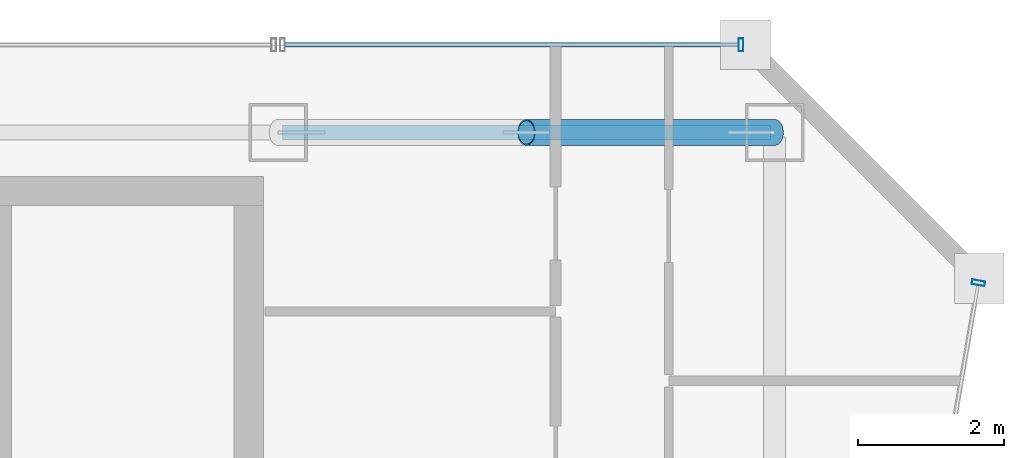
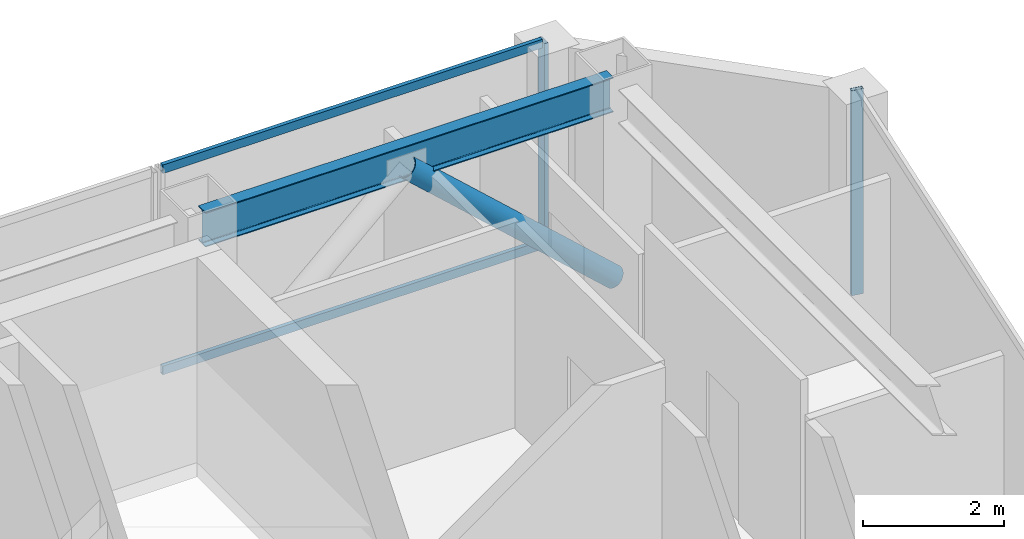
# One storey, part 23 of 33: 5 members, 1 beam, 2 elements without a shape of their own.
"""IFC4 building model written with IfcOpenShell, lengths in metres."""

from ifc_helpers import new_model, si_unit, direction, frame, origin, origin_2d, place, context, subcontext, project, spatial, hollow_rectangle, hollow_circle, i_section, extrude, material, material_profile, profile_set, type_object, element, aggregate, save


model = new_model("IFC4")

# Units and contexts
model_context = context("Model", 3, precision=1e-05, world=origin(), true_north=direction((0.0, 1.0)))
body_context = subcontext(model_context, "Body", "Model", "MODEL_VIEW")
ifc_project = project(units=[si_unit("LENGTHUNIT", "METRE"), si_unit("AREAUNIT", "SQUARE_METRE"), si_unit("VOLUMEUNIT", "CUBIC_METRE"), si_unit("PLANEANGLEUNIT", "RADIAN"), si_unit("MASSUNIT", "GRAM", prefix="KILO")], contexts=[model_context])

# Site, building, storey
site_placement = place(None, origin())
site = spatial("IfcSite", under=ifc_project, at=site_placement, CompositionType="ELEMENT")
building_placement = place(site_placement, origin())
building = spatial("IfcBuilding", under=site, at=building_placement, Name="Saevonmaru Cultural Tower", CompositionType="ELEMENT")
storey_placement = place(building_placement, frame((0.0, 0.0, 234.39990234375)))
storey = spatial("IfcBuildingStorey", under=building, at=storey_placement, Name="L54", CompositionType="ELEMENT", Elevation=234.39990234375)

# Beam
ifc_material_1 = material(Name="Steel SM355", Category="steel")
ifc_material_profile_1 = material_profile(ifc_material_1, i_section(OverallWidth=0.199951171875, OverallDepth=0.60009765625, WebThickness=0.010986328125, FlangeThickness=0.01708984375, FilletRadius=0.02197265625, at=origin_2d()), Name="H-600x200x11x17")
ifc_profile_set_1 = profile_set([ifc_material_profile_1], Name="Steel SM355")
beam_type = type_object("IfcBeamType", Name="BM-SP-H600", PredefinedType="SPANDREL", material=ifc_profile_set_1)
beam_placement = place(storey_placement, frame((46.4599609375, 54.800048828125, 3.25), z_axis=(1.0, 0.0, 0.0), x_axis=(0.0, 1.0, 0.0)))
element("IfcBeam", 1, at=beam_placement, inside=storey, type_object=beam_type, Name="L54 North Spine Girder 5", PredefinedType="SPANDREL", context=body_context, shape_type="SweptSolid", body=[
    extrude(i_section(OverallWidth=0.199951171875, OverallDepth=0.60009765625, WebThickness=0.010986328125, FlangeThickness=0.01708984375, FilletRadius=0.02197265625, at=origin_2d()), origin(), (0.0, 0.0, 1.0), 6.679931640625),
])

# Member
ifc_material_profile_2 = material_profile(ifc_material_1, hollow_circle(Radius=0.177734375, WallThickness=0.01611328125, at=origin_2d()), Name="CHS-355.6x16")
ifc_profile_set_2 = profile_set([ifc_material_profile_2], Name="Steel SM355")
member_type_1 = type_object("IfcMemberType", Name="MB-PBR-CHS356", PredefinedType="BRACE", material=ifc_profile_set_2)
member_1_placement = place(storey_placement, frame((53.199951171875, 54.800048828125, 0.02001953125), z_axis=(-0.738935641579, 0.0, 0.673776014417), x_axis=(0.0, -1.0, 0.0)))
element("IfcMember", 2, at=member_1_placement, inside=storey, type_object=member_type_1, Name="L54 Perimeter Braced-Tube Diagonal EN2", PredefinedType="BRACE", context=body_context, shape_type="SweptSolid", body=[
    extrude(hollow_circle(Radius=0.177734375, WallThickness=0.01611328125, at=origin_2d()), origin(), (0.0, 0.0, 1.0), 4.60107421875),
])

# Curtain wall, member
ifc_material_2 = material(Name="Satin Bronze Anodised Aluminium", Category="aluminium")
curtain_wall_type = type_object("IfcCurtainWallType", Name="CW-TYP-B", PredefinedType="NOTDEFINED", material=ifc_material_2)
curtain_wall_1_placement = place(storey_placement, origin())
curtain_wall_1 = element("IfcCurtainWall", 3, at=curtain_wall_1_placement, inside=storey, type_object=curtain_wall_type, Name="L54 Unitised Curtain Wall E8", PredefinedType="NOTDEFINED")
ifc_material_profile_3 = material_profile(ifc_material_2, hollow_rectangle(XDim=0.06494140625, YDim=0.179931640625, WallThickness=0.00390625, at=origin_2d()), Name="ALU-MULL-180x65x4")
ifc_profile_set_3 = profile_set([ifc_material_profile_3], Name="Satin Bronze Anodised Aluminium")
member_type_2 = type_object("IfcMemberType", Name="ML-CW-180x65", PredefinedType="MULLION", material=ifc_profile_set_3)
member_2_placement = place(storey_placement, frame((55.98974609375, 52.740966796875, 0.0), z_axis=(0.0, 0.0, 1.0), x_axis=(0.170790369887, 0.985307388359, 0.0)))
member_2 = element("IfcMember", 4, at=member_2_placement, type_object=member_type_2, Name="CW-TW-L54-E8 mullion 4", PredefinedType="MULLION", context=body_context, shape_type="SweptSolid", body=[
    extrude(hollow_rectangle(XDim=0.06494140625, YDim=0.179931640625, WallThickness=0.00390625, at=origin_2d()), origin(), (0.0, 0.0, 1.0), 3.550048828125),
])
aggregate(curtain_wall_1, [member_2])

# Curtain wall, members
curtain_wall_2_placement = place(storey_placement, origin())
curtain_wall_2 = element("IfcCurtainWall", 5, at=curtain_wall_2_placement, inside=storey, type_object=curtain_wall_type, Name="L54 East Braced Bay Spandrel Curtain Wall E10A", PredefinedType="NOTDEFINED")
member_3_placement = place(storey_placement, frame((52.739990234375, 56.0, 0.0), z_axis=(0.0, 0.0, 1.0), x_axis=(-1.0, 0.0, 0.0)))
member_3 = element("IfcMember", 6, at=member_3_placement, type_object=member_type_2, Name="CW-TW-L54-E10A mullion 1", PredefinedType="MULLION", context=body_context, shape_type="SweptSolid", body=[
    extrude(hollow_rectangle(XDim=0.06494140625, YDim=0.179931640625, WallThickness=0.00390625, at=origin_2d()), origin(), (0.0, 0.0, 1.0), 3.550048828125),
])
ifc_material_profile_4 = material_profile(ifc_material_2, hollow_rectangle(XDim=0.06494140625, YDim=0.14990234375, WallThickness=0.00390625, at=origin_2d()), Name="ALU-TRAN-150x65x4")
ifc_profile_set_4 = profile_set([ifc_material_profile_4], Name="Satin Bronze Anodised Aluminium")
member_type_3 = type_object("IfcMemberType", Name="TR-CW-150x65", PredefinedType="USERDEFINED", material=ifc_profile_set_4)
member_4_placement = place(storey_placement, frame((52.70751953125, 56.0, 0.03271484375), z_axis=(-1.0, 0.0, 0.0), x_axis=(0.0, -1.0, 0.0)))
member_4 = element("IfcMember", 7, at=member_4_placement, type_object=member_type_3, Name="CW-TW-L54-E10A transom 1.1", ObjectType="TRANSOM", PredefinedType="USERDEFINED", context=body_context, shape_type="SweptSolid", body=[
    extrude(hollow_rectangle(XDim=0.06494140625, YDim=0.14990234375, WallThickness=0.00390625, at=origin_2d()), origin(), (0.0, 0.0, 1.0), 6.215087890625),
])
member_5_placement = place(storey_placement, frame((52.70751953125, 56.0, 3.517578125), z_axis=(-1.0, 0.0, 0.0), x_axis=(0.0, -1.0, 0.0)))
member_5 = element("IfcMember", 8, at=member_5_placement, type_object=member_type_3, Name="CW-TW-L54-E10A transom 1.2", ObjectType="TRANSOM", PredefinedType="USERDEFINED", context=body_context, shape_type="SweptSolid", body=[
    extrude(hollow_rectangle(XDim=0.06494140625, YDim=0.14990234375, WallThickness=0.00390625, at=origin_2d()), origin(), (0.0, 0.0, 1.0), 6.215087890625),
])
aggregate(curtain_wall_2, [member_3, member_4, member_5])

save(model, "model.ifc")
